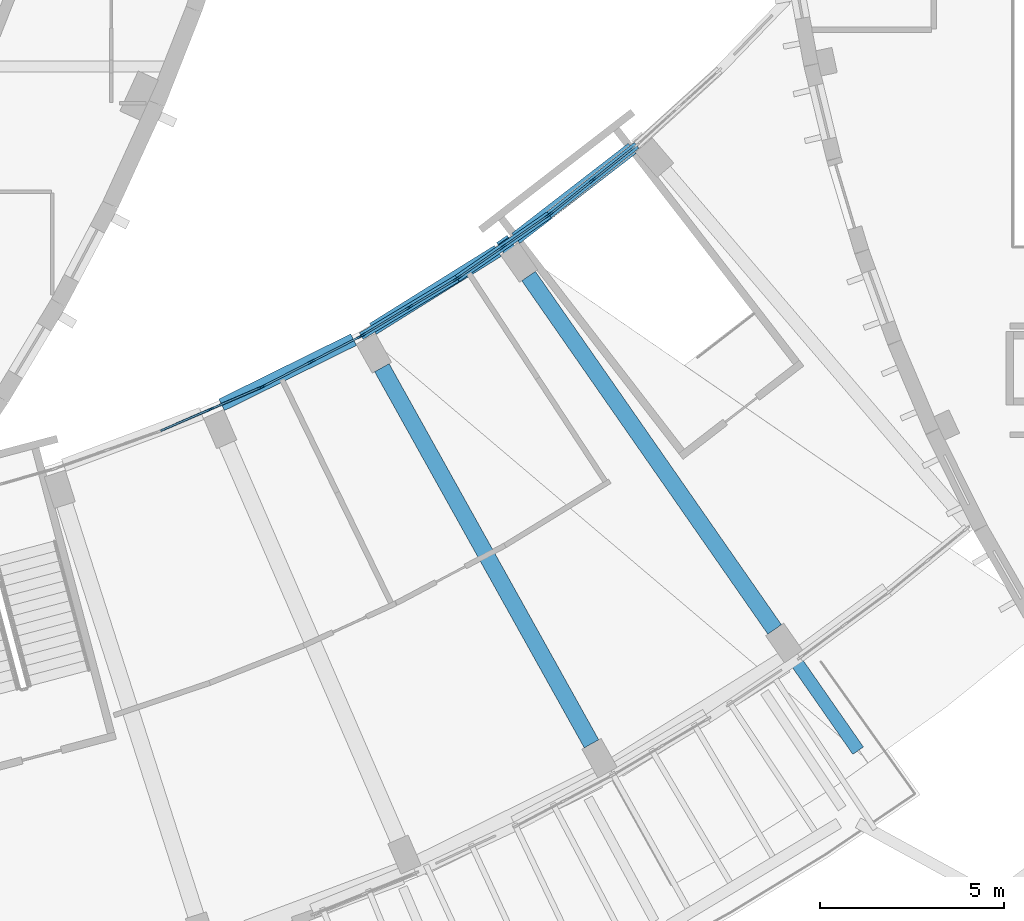
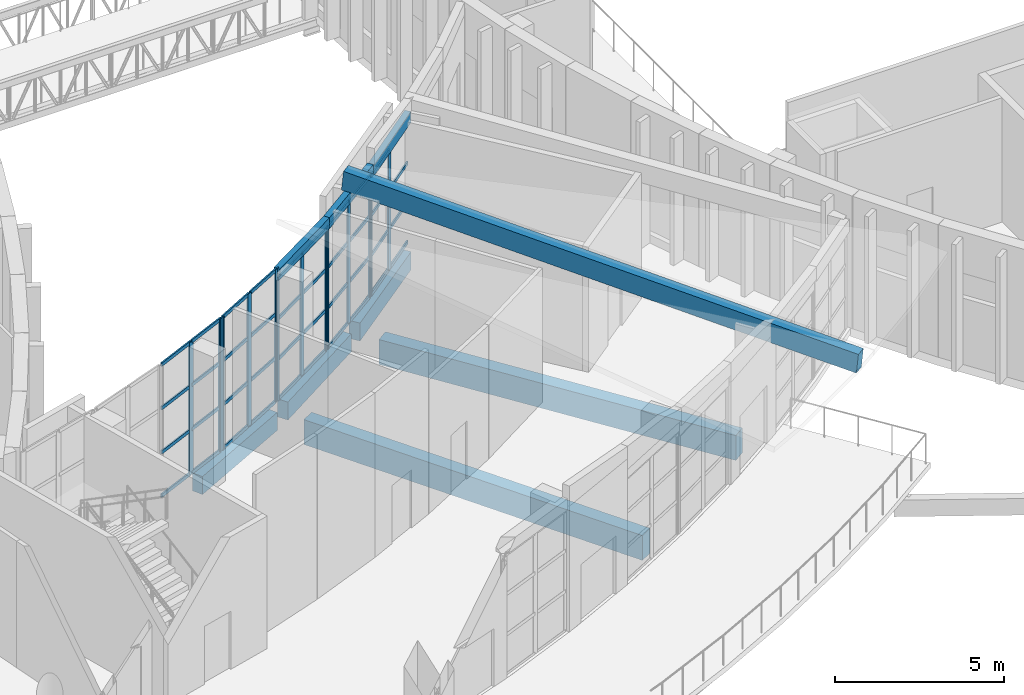
# One storey, part 23 of 93: 52 members, 9 beams, 5 elements without a shape of their own.
"""IFC4 building model written with IfcOpenShell, lengths in metres."""

from ifc_helpers import new_model, si_unit, direction, frame, origin, origin_2d, place, context, subcontext, project, spatial, rectangle, extrude, material, material_profile, profile_set, type_object, element, aggregate, save


model = new_model("IFC4")

# Units and contexts
model_context = context("Model", 3, precision=1e-05, world=origin(), true_north=direction((0.0, 1.0)))
body_context = subcontext(model_context, "Body", "Model", "MODEL_VIEW")
ifc_project = project(units=[si_unit("LENGTHUNIT", "METRE"), si_unit("AREAUNIT", "SQUARE_METRE"), si_unit("VOLUMEUNIT", "CUBIC_METRE"), si_unit("PLANEANGLEUNIT", "RADIAN"), si_unit("MASSUNIT", "GRAM", prefix="KILO")], contexts=[model_context])

# Site, building, storey
site_placement = place(None, origin())
site = spatial("IfcSite", under=ifc_project, at=site_placement, CompositionType="ELEMENT")
building_placement = place(site_placement, origin())
building = spatial("IfcBuilding", under=site, at=building_placement, Name="Tide Square Theatres", CompositionType="ELEMENT")
storey_placement = place(building_placement, frame((0.0, 0.0, 5.39990234375)))
storey = spatial("IfcBuildingStorey", under=building, at=storey_placement, Name="L01", CompositionType="ELEMENT", Elevation=5.39990234375)

# Curtain wall, members
ifc_material_1 = material(Name="Aluminium 6063-T5", Category="aluminium")
curtain_wall_type_1 = type_object("IfcCurtainWallType", Name="Unitised system curtain wall 4600 high", PredefinedType="USERDEFINED", material=ifc_material_1)
curtain_wall_1_placement = place(storey_placement, origin())
curtain_wall_1 = element("IfcCurtainWall", 1, at=curtain_wall_1_placement, inside=storey, type_object=curtain_wall_type_1, Name="Foyer inner curtain wall", ObjectType="UNITISED SYSTEM", PredefinedType="USERDEFINED")
ifc_material_2 = material(Name="Aluminium 6063-T5", Category="aluminium")
ifc_material_profile_1 = material_profile(ifc_material_2, rectangle(XDim=0.050048828125, YDim=0.199951171875, at=origin_2d()))
ifc_profile_set_1 = profile_set([ifc_material_profile_1], Name="Aluminium 6063-T5")
member_type_1 = type_object("IfcMemberType", Name="Aluminium mullion 50 x 200", PredefinedType="MULLION", material=ifc_profile_set_1)
member_1_placement = place(storey_placement, frame((112.690185546875, 31.91552734375, 0.0), z_axis=(0.0, 0.0, 1.0), x_axis=(0.622339810024, -0.782747188343, 0.0)))
member_1 = element("IfcMember", 2, at=member_1_placement, type_object=member_type_1, Name="CW-03 mullion 2", PredefinedType="MULLION", context=body_context, shape_type="SweptSolid", body=[
    extrude(rectangle(XDim=0.050048828125, YDim=0.199951171875, at=origin_2d()), origin(), (0.0, 0.0, 1.0), 4.337646484375),
])
member_2_placement = place(storey_placement, frame((111.520751953125, 30.98583984375, 0.0), z_axis=(0.0, 0.0, 1.0), x_axis=(0.622339810024, -0.782747188343, 0.0)))
member_2 = element("IfcMember", 3, at=member_2_placement, type_object=member_type_1, Name="CW-03 mullion 3", PredefinedType="MULLION", context=body_context, shape_type="SweptSolid", body=[
    extrude(rectangle(XDim=0.050048828125, YDim=0.199951171875, at=origin_2d()), origin(), (0.0, 0.0, 1.0), 4.337646484375),
])

curtain_wall_2_placement = place(storey_placement, origin())
curtain_wall_2 = element("IfcCurtainWall", 4, at=curtain_wall_2_placement, inside=storey, type_object=curtain_wall_type_1, Name="Foyer inner curtain wall", ObjectType="UNITISED SYSTEM", PredefinedType="USERDEFINED")
member_3_placement = place(storey_placement, frame((111.480712890625, 30.9560546875, 0.0), z_axis=(0.0, 0.0, 1.0), x_axis=(0.569470129047, -0.822012026751, 0.0)))
member_3 = element("IfcMember", 5, at=member_3_placement, type_object=member_type_1, Name="CW-03 mullion 1", PredefinedType="MULLION", context=body_context, shape_type="SweptSolid", body=[
    extrude(rectangle(XDim=0.050048828125, YDim=0.199951171875, at=origin_2d()), origin(), (0.0, 0.0, 1.0), 4.400146484375),
])
member_4_placement = place(storey_placement, frame((110.252685546875, 30.105224609375, 0.0), z_axis=(0.0, 0.0, 1.0), x_axis=(0.569470129047, -0.822012026751, 0.0)))
member_4 = element("IfcMember", 6, at=member_4_placement, type_object=member_type_1, Name="CW-03 mullion 2", PredefinedType="MULLION", context=body_context, shape_type="SweptSolid", body=[
    extrude(rectangle(XDim=0.050048828125, YDim=0.199951171875, at=origin_2d()), origin(), (0.0, 0.0, 1.0), 4.400146484375),
])
member_5_placement = place(storey_placement, frame((109.024658203125, 29.254638671875, 0.0), z_axis=(0.0, 0.0, 1.0), x_axis=(0.569470129047, -0.822012026751, 0.0)))
member_5 = element("IfcMember", 7, at=member_5_placement, type_object=member_type_1, Name="CW-03 mullion 3", PredefinedType="MULLION", context=body_context, shape_type="SweptSolid", body=[
    extrude(rectangle(XDim=0.050048828125, YDim=0.199951171875, at=origin_2d()), origin(), (0.0, 0.0, 1.0), 4.400146484375),
])

curtain_wall_3_placement = place(storey_placement, origin())
curtain_wall_3 = element("IfcCurtainWall", 8, at=curtain_wall_3_placement, inside=storey, type_object=curtain_wall_type_1, Name="Foyer inner curtain wall", ObjectType="UNITISED SYSTEM", PredefinedType="USERDEFINED")
member_6_placement = place(storey_placement, frame((108.982666015625, 29.2275390625, 0.0), z_axis=(0.0, 0.0, 1.0), x_axis=(0.514127814204, -0.857713583116, 0.0)))
member_6 = element("IfcMember", 9, at=member_6_placement, type_object=member_type_1, Name="CW-03 mullion 1", PredefinedType="MULLION", context=body_context, shape_type="SweptSolid", body=[
    extrude(rectangle(XDim=0.050048828125, YDim=0.199951171875, at=origin_2d()), origin(), (0.0, 0.0, 1.0), 4.400146484375),
])
member_7_placement = place(storey_placement, frame((107.701171875, 28.459228515625, 0.0), z_axis=(0.0, 0.0, 1.0), x_axis=(0.514127814204, -0.857713583116, 0.0)))
member_7 = element("IfcMember", 10, at=member_7_placement, type_object=member_type_1, Name="CW-03 mullion 2", PredefinedType="MULLION", context=body_context, shape_type="SweptSolid", body=[
    extrude(rectangle(XDim=0.050048828125, YDim=0.199951171875, at=origin_2d()), origin(), (0.0, 0.0, 1.0), 4.400146484375),
])
member_8_placement = place(storey_placement, frame((106.419921875, 27.691162109375, 0.0), z_axis=(0.0, 0.0, 1.0), x_axis=(0.514127814204, -0.857713583116, 0.0)))
member_8 = element("IfcMember", 11, at=member_8_placement, type_object=member_type_1, Name="CW-03 mullion 3", PredefinedType="MULLION", context=body_context, shape_type="SweptSolid", body=[
    extrude(rectangle(XDim=0.050048828125, YDim=0.199951171875, at=origin_2d()), origin(), (0.0, 0.0, 1.0), 4.400146484375),
])

ifc_material_3 = material(Name="Aluminium 6063-T5", Category="aluminium")
curtain_wall_type_2 = type_object("IfcCurtainWallType", Name="Unitised system curtain wall 4800 high", PredefinedType="USERDEFINED", material=ifc_material_3)
curtain_wall_4_placement = place(storey_placement, origin())
curtain_wall_4 = element("IfcCurtainWall", 12, at=curtain_wall_4_placement, inside=storey, type_object=curtain_wall_type_2, Name="Foyer inner curtain wall", ObjectType="UNITISED SYSTEM", PredefinedType="USERDEFINED")
member_9_placement = place(storey_placement, frame((106.376220703125, 27.6669921875, 0.0), z_axis=(0.0, 0.0, 1.0), x_axis=(0.456563895791, -0.889690625476, 0.0)))
member_9 = element("IfcMember", 13, at=member_9_placement, type_object=member_type_1, Name="CW-02 mullion 1", PredefinedType="MULLION", context=body_context, shape_type="SweptSolid", body=[
    extrude(rectangle(XDim=0.050048828125, YDim=0.199951171875, at=origin_2d()), origin(), (0.0, 0.0, 1.0), 4.800048828125),
])
member_10_placement = place(storey_placement, frame((105.047119140625, 26.98486328125, 0.0), z_axis=(0.0, 0.0, 1.0), x_axis=(0.456563895791, -0.889690625476, 0.0)))
member_10 = element("IfcMember", 14, at=member_10_placement, type_object=member_type_1, Name="CW-02 mullion 2", PredefinedType="MULLION", context=body_context, shape_type="SweptSolid", body=[
    extrude(rectangle(XDim=0.050048828125, YDim=0.199951171875, at=origin_2d()), origin(), (0.0, 0.0, 1.0), 4.800048828125),
])
member_11_placement = place(storey_placement, frame((103.7177734375, 26.302734375, 0.0), z_axis=(0.0, 0.0, 1.0), x_axis=(0.456563895791, -0.889690625476, 0.0)))
member_11 = element("IfcMember", 15, at=member_11_placement, type_object=member_type_1, Name="CW-02 mullion 3", PredefinedType="MULLION", context=body_context, shape_type="SweptSolid", body=[
    extrude(rectangle(XDim=0.050048828125, YDim=0.199951171875, at=origin_2d()), origin(), (0.0, 0.0, 1.0), 4.800048828125),
])

curtain_wall_5_placement = place(storey_placement, origin())
curtain_wall_5 = element("IfcCurtainWall", 16, at=curtain_wall_5_placement, inside=storey, type_object=curtain_wall_type_2, Name="Foyer inner curtain wall", ObjectType="UNITISED SYSTEM", PredefinedType="USERDEFINED")
member_12_placement = place(storey_placement, frame((103.672607421875, 26.281494140625, 0.0), z_axis=(0.0, 0.0, 1.0), x_axis=(0.396980103276, -0.917827215549, 0.0)))
member_12 = element("IfcMember", 17, at=member_12_placement, type_object=member_type_1, Name="CW-02 mullion 1", PredefinedType="MULLION", context=body_context, shape_type="SweptSolid", body=[
    extrude(rectangle(XDim=0.050048828125, YDim=0.199951171875, at=origin_2d()), origin(), (0.0, 0.0, 1.0), 4.800048828125),
])
member_13_placement = place(storey_placement, frame((102.301513671875, 25.6884765625, 0.0), z_axis=(0.0, 0.0, 1.0), x_axis=(0.396980103276, -0.917827215549, 0.0)))
member_13 = element("IfcMember", 18, at=member_13_placement, type_object=member_type_1, Name="CW-02 mullion 2", PredefinedType="MULLION", context=body_context, shape_type="SweptSolid", body=[
    extrude(rectangle(XDim=0.050048828125, YDim=0.199951171875, at=origin_2d()), origin(), (0.0, 0.0, 1.0), 4.800048828125),
])

# Member
ifc_material_4 = material(Name="Aluminium 6063-T5", Category="aluminium")
ifc_material_profile_2 = material_profile(ifc_material_4, rectangle(XDim=0.050048828125, YDim=0.125, at=origin_2d()))
ifc_profile_set_2 = profile_set([ifc_material_profile_2], Name="Aluminium 6063-T5")
member_type_2 = type_object("IfcMemberType", Name="Aluminium transom 50 x 125", PredefinedType="USERDEFINED", material=ifc_profile_set_2)
member_14_placement = place(storey_placement, frame((113.840087890625, 32.829833984375, 0.025146484375), z_axis=(-0.782762014986, -0.622321161375, 0.0), x_axis=(0.622321161375, -0.782762014986, 0.0)))
member_14 = element("IfcMember", 19, at=member_14_placement, type_object=member_type_2, Name="CW-03 transom 1.1", ObjectType="TRANSOM", PredefinedType="USERDEFINED", context=body_context, shape_type="SweptSolid", body=[
    extrude(rectangle(XDim=0.050048828125, YDim=0.125, at=origin_2d()), origin(), (0.0, 0.0, 1.0), 1.444091796875),
])

member_15_placement = place(storey_placement, frame((113.840087890625, 32.829833984375, 1.44580078125), z_axis=(-0.782762014986, -0.622321161375, 0.0), x_axis=(0.622321161375, -0.782762014986, 0.0)))
member_15 = element("IfcMember", 20, at=member_15_placement, type_object=member_type_2, Name="CW-03 transom 1.2", ObjectType="TRANSOM", PredefinedType="USERDEFINED", context=body_context, shape_type="SweptSolid", body=[
    extrude(rectangle(XDim=0.050048828125, YDim=0.125, at=origin_2d()), origin(), (0.0, 0.0, 1.0), 1.444091796875),
])

member_16_placement = place(storey_placement, frame((113.840087890625, 32.829833984375, 2.8916015625), z_axis=(-0.782762014986, -0.622321161375, 0.0), x_axis=(0.622321161375, -0.782762014986, 0.0)))
member_16 = element("IfcMember", 21, at=member_16_placement, type_object=member_type_2, Name="CW-03 transom 1.3", ObjectType="TRANSOM", PredefinedType="USERDEFINED", context=body_context, shape_type="SweptSolid", body=[
    extrude(rectangle(XDim=0.050048828125, YDim=0.125, at=origin_2d()), origin(), (0.0, 0.0, 1.0), 1.444091796875),
])

member_17_placement = place(storey_placement, frame((112.670654296875, 31.900146484375, 0.025146484375), z_axis=(-0.782696526628, -0.622403524415, 0.0), x_axis=(0.622403524415, -0.782696526628, 0.0)))
member_17 = element("IfcMember", 22, at=member_17_placement, type_object=member_type_2, Name="CW-03 transom 2.1", ObjectType="TRANSOM", PredefinedType="USERDEFINED", context=body_context, shape_type="SweptSolid", body=[
    extrude(rectangle(XDim=0.050048828125, YDim=0.125, at=origin_2d()), origin(), (0.0, 0.0, 1.0), 1.44384765625),
])

member_18_placement = place(storey_placement, frame((112.670654296875, 31.900146484375, 1.44580078125), z_axis=(-0.782696526628, -0.622403524415, 0.0), x_axis=(0.622403524415, -0.782696526628, 0.0)))
member_18 = element("IfcMember", 23, at=member_18_placement, type_object=member_type_2, Name="CW-03 transom 2.2", ObjectType="TRANSOM", PredefinedType="USERDEFINED", context=body_context, shape_type="SweptSolid", body=[
    extrude(rectangle(XDim=0.050048828125, YDim=0.125, at=origin_2d()), origin(), (0.0, 0.0, 1.0), 1.44384765625),
])

member_19_placement = place(storey_placement, frame((112.670654296875, 31.900146484375, 2.8916015625), z_axis=(-0.782696526628, -0.622403524415, 0.0), x_axis=(0.622403524415, -0.782696526628, 0.0)))
member_19 = element("IfcMember", 24, at=member_19_placement, type_object=member_type_2, Name="CW-03 transom 2.3", ObjectType="TRANSOM", PredefinedType="USERDEFINED", context=body_context, shape_type="SweptSolid", body=[
    extrude(rectangle(XDim=0.050048828125, YDim=0.125, at=origin_2d()), origin(), (0.0, 0.0, 1.0), 1.44384765625),
])

member_20_placement = place(storey_placement, frame((112.670654296875, 31.900146484375, 4.3125), z_axis=(-0.782696526628, -0.622403524415, 0.0), x_axis=(0.622403524415, -0.782696526628, 0.0)))
member_20 = element("IfcMember", 25, at=member_20_placement, type_object=member_type_2, Name="CW-03 transom 2.4", ObjectType="TRANSOM", PredefinedType="USERDEFINED", context=body_context, shape_type="SweptSolid", body=[
    extrude(rectangle(XDim=0.050048828125, YDim=0.125, at=origin_2d()), origin(), (0.0, 0.0, 1.0), 1.44384765625),
])

aggregate(curtain_wall_1, [member_1, member_2, member_14, member_15, member_16, member_17, member_18, member_19, member_20])

member_21_placement = place(storey_placement, frame((111.460205078125, 30.94189453125, 0.025146484375), z_axis=(-0.822033907351, -0.5694385438, 0.0), x_axis=(0.5694385438, -0.822033907351, 0.0)))
member_21 = element("IfcMember", 26, at=member_21_placement, type_object=member_type_2, Name="CW-03 transom 1.1", ObjectType="TRANSOM", PredefinedType="USERDEFINED", context=body_context, shape_type="SweptSolid", body=[
    extrude(rectangle(XDim=0.050048828125, YDim=0.125, at=origin_2d()), origin(), (0.0, 0.0, 1.0), 1.444091796875),
])

member_22_placement = place(storey_placement, frame((111.460205078125, 30.94189453125, 1.466796875), z_axis=(-0.822033907351, -0.5694385438, 0.0), x_axis=(0.5694385438, -0.822033907351, 0.0)))
member_22 = element("IfcMember", 27, at=member_22_placement, type_object=member_type_2, Name="CW-03 transom 1.2", ObjectType="TRANSOM", PredefinedType="USERDEFINED", context=body_context, shape_type="SweptSolid", body=[
    extrude(rectangle(XDim=0.050048828125, YDim=0.125, at=origin_2d()), origin(), (0.0, 0.0, 1.0), 1.444091796875),
])

member_23_placement = place(storey_placement, frame((111.460205078125, 30.94189453125, 2.933349609375), z_axis=(-0.822033907351, -0.5694385438, 0.0), x_axis=(0.5694385438, -0.822033907351, 0.0)))
member_23 = element("IfcMember", 28, at=member_23_placement, type_object=member_type_2, Name="CW-03 transom 1.3", ObjectType="TRANSOM", PredefinedType="USERDEFINED", context=body_context, shape_type="SweptSolid", body=[
    extrude(rectangle(XDim=0.050048828125, YDim=0.125, at=origin_2d()), origin(), (0.0, 0.0, 1.0), 1.444091796875),
])

member_24_placement = place(storey_placement, frame((111.460205078125, 30.94189453125, 4.375), z_axis=(-0.822033907351, -0.5694385438, 0.0), x_axis=(0.5694385438, -0.822033907351, 0.0)))
member_24 = element("IfcMember", 29, at=member_24_placement, type_object=member_type_2, Name="CW-03 transom 1.4", ObjectType="TRANSOM", PredefinedType="USERDEFINED", context=body_context, shape_type="SweptSolid", body=[
    extrude(rectangle(XDim=0.050048828125, YDim=0.125, at=origin_2d()), origin(), (0.0, 0.0, 1.0), 1.444091796875),
])

member_25_placement = place(storey_placement, frame((110.232177734375, 30.091064453125, 0.025146484375), z_axis=(-0.822033907351, -0.5694385438, 0.0), x_axis=(0.5694385438, -0.822033907351, 0.0)))
member_25 = element("IfcMember", 30, at=member_25_placement, type_object=member_type_2, Name="CW-03 transom 2.1", ObjectType="TRANSOM", PredefinedType="USERDEFINED", context=body_context, shape_type="SweptSolid", body=[
    extrude(rectangle(XDim=0.050048828125, YDim=0.125, at=origin_2d()), origin(), (0.0, 0.0, 1.0), 1.444091796875),
])

member_26_placement = place(storey_placement, frame((110.232177734375, 30.091064453125, 1.466796875), z_axis=(-0.822033907351, -0.5694385438, 0.0), x_axis=(0.5694385438, -0.822033907351, 0.0)))
member_26 = element("IfcMember", 31, at=member_26_placement, type_object=member_type_2, Name="CW-03 transom 2.2", ObjectType="TRANSOM", PredefinedType="USERDEFINED", context=body_context, shape_type="SweptSolid", body=[
    extrude(rectangle(XDim=0.050048828125, YDim=0.125, at=origin_2d()), origin(), (0.0, 0.0, 1.0), 1.444091796875),
])

member_27_placement = place(storey_placement, frame((110.232177734375, 30.091064453125, 2.933349609375), z_axis=(-0.822033907351, -0.5694385438, 0.0), x_axis=(0.5694385438, -0.822033907351, 0.0)))
member_27 = element("IfcMember", 32, at=member_27_placement, type_object=member_type_2, Name="CW-03 transom 2.3", ObjectType="TRANSOM", PredefinedType="USERDEFINED", context=body_context, shape_type="SweptSolid", body=[
    extrude(rectangle(XDim=0.050048828125, YDim=0.125, at=origin_2d()), origin(), (0.0, 0.0, 1.0), 1.444091796875),
])

member_28_placement = place(storey_placement, frame((110.232177734375, 30.091064453125, 4.375), z_axis=(-0.822033907351, -0.5694385438, 0.0), x_axis=(0.5694385438, -0.822033907351, 0.0)))
member_28 = element("IfcMember", 33, at=member_28_placement, type_object=member_type_2, Name="CW-03 transom 2.4", ObjectType="TRANSOM", PredefinedType="USERDEFINED", context=body_context, shape_type="SweptSolid", body=[
    extrude(rectangle(XDim=0.050048828125, YDim=0.125, at=origin_2d()), origin(), (0.0, 0.0, 1.0), 1.444091796875),
])

aggregate(curtain_wall_2, [member_3, member_4, member_5, member_21, member_22, member_23, member_24, member_25, member_26, member_27, member_28])

member_29_placement = place(storey_placement, frame((108.961181640625, 29.214599609375, 0.025146484375), z_axis=(-0.857701708575, -0.514147623847, 0.0), x_axis=(0.514147623847, -0.857701708575, 0.0)))
member_29 = element("IfcMember", 34, at=member_29_placement, type_object=member_type_2, Name="CW-03 transom 1.1", ObjectType="TRANSOM", PredefinedType="USERDEFINED", context=body_context, shape_type="SweptSolid", body=[
    extrude(rectangle(XDim=0.050048828125, YDim=0.125, at=origin_2d()), origin(), (0.0, 0.0, 1.0), 1.444091796875),
])

member_30_placement = place(storey_placement, frame((108.961181640625, 29.214599609375, 1.466796875), z_axis=(-0.857701708575, -0.514147623847, 0.0), x_axis=(0.514147623847, -0.857701708575, 0.0)))
member_30 = element("IfcMember", 35, at=member_30_placement, type_object=member_type_2, Name="CW-03 transom 1.2", ObjectType="TRANSOM", PredefinedType="USERDEFINED", context=body_context, shape_type="SweptSolid", body=[
    extrude(rectangle(XDim=0.050048828125, YDim=0.125, at=origin_2d()), origin(), (0.0, 0.0, 1.0), 1.444091796875),
])

member_31_placement = place(storey_placement, frame((108.961181640625, 29.214599609375, 2.933349609375), z_axis=(-0.857701708575, -0.514147623847, 0.0), x_axis=(0.514147623847, -0.857701708575, 0.0)))
member_31 = element("IfcMember", 36, at=member_31_placement, type_object=member_type_2, Name="CW-03 transom 1.3", ObjectType="TRANSOM", PredefinedType="USERDEFINED", context=body_context, shape_type="SweptSolid", body=[
    extrude(rectangle(XDim=0.050048828125, YDim=0.125, at=origin_2d()), origin(), (0.0, 0.0, 1.0), 1.444091796875),
])

member_32_placement = place(storey_placement, frame((108.961181640625, 29.214599609375, 4.375), z_axis=(-0.857701708575, -0.514147623847, 0.0), x_axis=(0.514147623847, -0.857701708575, 0.0)))
member_32 = element("IfcMember", 37, at=member_32_placement, type_object=member_type_2, Name="CW-03 transom 1.4", ObjectType="TRANSOM", PredefinedType="USERDEFINED", context=body_context, shape_type="SweptSolid", body=[
    extrude(rectangle(XDim=0.050048828125, YDim=0.125, at=origin_2d()), origin(), (0.0, 0.0, 1.0), 1.444091796875),
])

member_33_placement = place(storey_placement, frame((107.6796875, 28.446533203125, 0.025146484375), z_axis=(-0.857657005072, -0.514222190935, 0.0), x_axis=(0.514222190935, -0.857657005072, 0.0)))
member_33 = element("IfcMember", 38, at=member_33_placement, type_object=member_type_2, Name="CW-03 transom 2.1", ObjectType="TRANSOM", PredefinedType="USERDEFINED", context=body_context, shape_type="SweptSolid", body=[
    extrude(rectangle(XDim=0.050048828125, YDim=0.125, at=origin_2d()), origin(), (0.0, 0.0, 1.0), 1.44384765625),
])

member_34_placement = place(storey_placement, frame((107.6796875, 28.446533203125, 1.466796875), z_axis=(-0.857657005072, -0.514222190935, 0.0), x_axis=(0.514222190935, -0.857657005072, 0.0)))
member_34 = element("IfcMember", 39, at=member_34_placement, type_object=member_type_2, Name="CW-03 transom 2.2", ObjectType="TRANSOM", PredefinedType="USERDEFINED", context=body_context, shape_type="SweptSolid", body=[
    extrude(rectangle(XDim=0.050048828125, YDim=0.125, at=origin_2d()), origin(), (0.0, 0.0, 1.0), 1.44384765625),
])

member_35_placement = place(storey_placement, frame((107.6796875, 28.446533203125, 2.933349609375), z_axis=(-0.857657005072, -0.514222190935, 0.0), x_axis=(0.514222190935, -0.857657005072, 0.0)))
member_35 = element("IfcMember", 40, at=member_35_placement, type_object=member_type_2, Name="CW-03 transom 2.3", ObjectType="TRANSOM", PredefinedType="USERDEFINED", context=body_context, shape_type="SweptSolid", body=[
    extrude(rectangle(XDim=0.050048828125, YDim=0.125, at=origin_2d()), origin(), (0.0, 0.0, 1.0), 1.44384765625),
])

member_36_placement = place(storey_placement, frame((107.6796875, 28.446533203125, 4.375), z_axis=(-0.857657005072, -0.514222190935, 0.0), x_axis=(0.514222190935, -0.857657005072, 0.0)))
member_36 = element("IfcMember", 41, at=member_36_placement, type_object=member_type_2, Name="CW-03 transom 2.4", ObjectType="TRANSOM", PredefinedType="USERDEFINED", context=body_context, shape_type="SweptSolid", body=[
    extrude(rectangle(XDim=0.050048828125, YDim=0.125, at=origin_2d()), origin(), (0.0, 0.0, 1.0), 1.44384765625),
])

aggregate(curtain_wall_3, [member_6, member_7, member_8, member_29, member_30, member_31, member_32, member_33, member_34, member_35, member_36])

member_37_placement = place(storey_placement, frame((106.35400390625, 27.655517578125, 0.025146484375), z_axis=(-0.88971181746, -0.456522597329, 0.0), x_axis=(0.456522597329, -0.88971181746, 0.0)))
member_37 = element("IfcMember", 42, at=member_37_placement, type_object=member_type_2, Name="CW-02 transom 1.1", ObjectType="TRANSOM", PredefinedType="USERDEFINED", context=body_context, shape_type="SweptSolid", body=[
    extrude(rectangle(XDim=0.050048828125, YDim=0.125, at=origin_2d()), origin(), (0.0, 0.0, 1.0), 1.44384765625),
])

member_38_placement = place(storey_placement, frame((106.35400390625, 27.655517578125, 1.60009765625), z_axis=(-0.88971181746, -0.456522597329, 0.0), x_axis=(0.456522597329, -0.88971181746, 0.0)))
member_38 = element("IfcMember", 43, at=member_38_placement, type_object=member_type_2, Name="CW-02 transom 1.2", ObjectType="TRANSOM", PredefinedType="USERDEFINED", context=body_context, shape_type="SweptSolid", body=[
    extrude(rectangle(XDim=0.050048828125, YDim=0.125, at=origin_2d()), origin(), (0.0, 0.0, 1.0), 1.44384765625),
])

member_39_placement = place(storey_placement, frame((106.35400390625, 27.655517578125, 3.2001953125), z_axis=(-0.88971181746, -0.456522597329, 0.0), x_axis=(0.456522597329, -0.88971181746, 0.0)))
member_39 = element("IfcMember", 44, at=member_39_placement, type_object=member_type_2, Name="CW-02 transom 1.3", ObjectType="TRANSOM", PredefinedType="USERDEFINED", context=body_context, shape_type="SweptSolid", body=[
    extrude(rectangle(XDim=0.050048828125, YDim=0.125, at=origin_2d()), origin(), (0.0, 0.0, 1.0), 1.44384765625),
])

member_40_placement = place(storey_placement, frame((106.35400390625, 27.655517578125, 4.775146484375), z_axis=(-0.88971181746, -0.456522597329, 0.0), x_axis=(0.456522597329, -0.88971181746, 0.0)))
member_40 = element("IfcMember", 45, at=member_40_placement, type_object=member_type_2, Name="CW-02 transom 1.4", ObjectType="TRANSOM", PredefinedType="USERDEFINED", context=body_context, shape_type="SweptSolid", body=[
    extrude(rectangle(XDim=0.050048828125, YDim=0.125, at=origin_2d()), origin(), (0.0, 0.0, 1.0), 1.44384765625),
])

member_41_placement = place(storey_placement, frame((105.024658203125, 26.973388671875, 0.025146484375), z_axis=(-0.88971181746, -0.456522597329, 0.0), x_axis=(0.456522597329, -0.88971181746, 0.0)))
member_41 = element("IfcMember", 46, at=member_41_placement, type_object=member_type_2, Name="CW-02 transom 2.1", ObjectType="TRANSOM", PredefinedType="USERDEFINED", context=body_context, shape_type="SweptSolid", body=[
    extrude(rectangle(XDim=0.050048828125, YDim=0.125, at=origin_2d()), origin(), (0.0, 0.0, 1.0), 1.44384765625),
])

member_42_placement = place(storey_placement, frame((105.024658203125, 26.973388671875, 1.60009765625), z_axis=(-0.88971181746, -0.456522597329, 0.0), x_axis=(0.456522597329, -0.88971181746, 0.0)))
member_42 = element("IfcMember", 47, at=member_42_placement, type_object=member_type_2, Name="CW-02 transom 2.2", ObjectType="TRANSOM", PredefinedType="USERDEFINED", context=body_context, shape_type="SweptSolid", body=[
    extrude(rectangle(XDim=0.050048828125, YDim=0.125, at=origin_2d()), origin(), (0.0, 0.0, 1.0), 1.44384765625),
])

member_43_placement = place(storey_placement, frame((105.024658203125, 26.973388671875, 3.2001953125), z_axis=(-0.88971181746, -0.456522597329, 0.0), x_axis=(0.456522597329, -0.88971181746, 0.0)))
member_43 = element("IfcMember", 48, at=member_43_placement, type_object=member_type_2, Name="CW-02 transom 2.3", ObjectType="TRANSOM", PredefinedType="USERDEFINED", context=body_context, shape_type="SweptSolid", body=[
    extrude(rectangle(XDim=0.050048828125, YDim=0.125, at=origin_2d()), origin(), (0.0, 0.0, 1.0), 1.44384765625),
])

member_44_placement = place(storey_placement, frame((105.024658203125, 26.973388671875, 4.775146484375), z_axis=(-0.88971181746, -0.456522597329, 0.0), x_axis=(0.456522597329, -0.88971181746, 0.0)))
member_44 = element("IfcMember", 49, at=member_44_placement, type_object=member_type_2, Name="CW-02 transom 2.4", ObjectType="TRANSOM", PredefinedType="USERDEFINED", context=body_context, shape_type="SweptSolid", body=[
    extrude(rectangle(XDim=0.050048828125, YDim=0.125, at=origin_2d()), origin(), (0.0, 0.0, 1.0), 1.44384765625),
])

aggregate(curtain_wall_4, [member_9, member_10, member_11, member_37, member_38, member_39, member_40, member_41, member_42, member_43, member_44])

member_45_placement = place(storey_placement, frame((103.649658203125, 26.271484375, 0.025146484375), z_axis=(-0.917810413331, -0.397018948139, 0.0), x_axis=(0.397018948139, -0.917810413331, 0.0)))
member_45 = element("IfcMember", 50, at=member_45_placement, type_object=member_type_2, Name="CW-02 transom 1.1", ObjectType="TRANSOM", PredefinedType="USERDEFINED", context=body_context, shape_type="SweptSolid", body=[
    extrude(rectangle(XDim=0.050048828125, YDim=0.125, at=origin_2d()), origin(), (0.0, 0.0, 1.0), 1.44384765625),
])

member_46_placement = place(storey_placement, frame((103.649658203125, 26.271484375, 1.60009765625), z_axis=(-0.917810413331, -0.397018948139, 0.0), x_axis=(0.397018948139, -0.917810413331, 0.0)))
member_46 = element("IfcMember", 51, at=member_46_placement, type_object=member_type_2, Name="CW-02 transom 1.2", ObjectType="TRANSOM", PredefinedType="USERDEFINED", context=body_context, shape_type="SweptSolid", body=[
    extrude(rectangle(XDim=0.050048828125, YDim=0.125, at=origin_2d()), origin(), (0.0, 0.0, 1.0), 1.44384765625),
])

member_47_placement = place(storey_placement, frame((103.649658203125, 26.271484375, 3.2001953125), z_axis=(-0.917810413331, -0.397018948139, 0.0), x_axis=(0.397018948139, -0.917810413331, 0.0)))
member_47 = element("IfcMember", 52, at=member_47_placement, type_object=member_type_2, Name="CW-02 transom 1.3", ObjectType="TRANSOM", PredefinedType="USERDEFINED", context=body_context, shape_type="SweptSolid", body=[
    extrude(rectangle(XDim=0.050048828125, YDim=0.125, at=origin_2d()), origin(), (0.0, 0.0, 1.0), 1.44384765625),
])

member_48_placement = place(storey_placement, frame((103.649658203125, 26.271484375, 4.775146484375), z_axis=(-0.917810413331, -0.397018948139, 0.0), x_axis=(0.397018948139, -0.917810413331, 0.0)))
member_48 = element("IfcMember", 53, at=member_48_placement, type_object=member_type_2, Name="CW-02 transom 1.4", ObjectType="TRANSOM", PredefinedType="USERDEFINED", context=body_context, shape_type="SweptSolid", body=[
    extrude(rectangle(XDim=0.050048828125, YDim=0.125, at=origin_2d()), origin(), (0.0, 0.0, 1.0), 1.44384765625),
])

member_49_placement = place(storey_placement, frame((102.278564453125, 25.678466796875, 0.025146484375), z_axis=(-0.917837059484, -0.396957343096, 0.0), x_axis=(0.396957343096, -0.917837059484, 0.0)))
member_49 = element("IfcMember", 54, at=member_49_placement, type_object=member_type_2, Name="CW-02 transom 2.1", ObjectType="TRANSOM", PredefinedType="USERDEFINED", context=body_context, shape_type="SweptSolid", body=[
    extrude(rectangle(XDim=0.050048828125, YDim=0.125, at=origin_2d()), origin(), (0.0, 0.0, 1.0), 1.444091796875),
])

member_50_placement = place(storey_placement, frame((102.278564453125, 25.678466796875, 1.60009765625), z_axis=(-0.917837059484, -0.396957343096, 0.0), x_axis=(0.396957343096, -0.917837059484, 0.0)))
member_50 = element("IfcMember", 55, at=member_50_placement, type_object=member_type_2, Name="CW-02 transom 2.2", ObjectType="TRANSOM", PredefinedType="USERDEFINED", context=body_context, shape_type="SweptSolid", body=[
    extrude(rectangle(XDim=0.050048828125, YDim=0.125, at=origin_2d()), origin(), (0.0, 0.0, 1.0), 1.444091796875),
])

member_51_placement = place(storey_placement, frame((102.278564453125, 25.678466796875, 3.2001953125), z_axis=(-0.917837059484, -0.396957343096, 0.0), x_axis=(0.396957343096, -0.917837059484, 0.0)))
member_51 = element("IfcMember", 56, at=member_51_placement, type_object=member_type_2, Name="CW-02 transom 2.3", ObjectType="TRANSOM", PredefinedType="USERDEFINED", context=body_context, shape_type="SweptSolid", body=[
    extrude(rectangle(XDim=0.050048828125, YDim=0.125, at=origin_2d()), origin(), (0.0, 0.0, 1.0), 1.444091796875),
])

member_52_placement = place(storey_placement, frame((102.278564453125, 25.678466796875, 4.775146484375), z_axis=(-0.917837059484, -0.396957343096, 0.0), x_axis=(0.396957343096, -0.917837059484, 0.0)))
member_52 = element("IfcMember", 57, at=member_52_placement, type_object=member_type_2, Name="CW-02 transom 2.4", ObjectType="TRANSOM", PredefinedType="USERDEFINED", context=body_context, shape_type="SweptSolid", body=[
    extrude(rectangle(XDim=0.050048828125, YDim=0.125, at=origin_2d()), origin(), (0.0, 0.0, 1.0), 1.444091796875),
])

aggregate(curtain_wall_5, [member_12, member_13, member_45, member_46, member_47, member_48, member_49, member_50, member_51, member_52])

# Beams
ifc_material_5 = material(Name="Concrete C35", Category="concrete")
ifc_material_profile_3 = material_profile(ifc_material_5, rectangle(XDim=0.199951171875, YDim=0.39990234375, at=origin_2d()))
ifc_profile_set_3 = profile_set([ifc_material_profile_3], Name="Concrete C35")
beam_type_1 = type_object("IfcBeamType", Name="RC beam 200 x 400", PredefinedType="BEAM", material=ifc_profile_set_3)
for number, where, z_axis, x_axis, name in (
    (58, (113.879150390625, 32.86083984375, 4.53759765625), (-0.782746964437, -0.622340091642, 0.0), (0.622340091642, -0.782746964437, 0.0), "Foyer fascia head beam"),
    (59, (111.501220703125, 30.97021484375, 4.60009765625), (-0.822001191641, -0.569485768866, 0.0), (0.569485768866, -0.822001191641, 0.0), "Foyer fascia head beam"),
    (60, (109.004150390625, 29.240234375, 4.60009765625), (-0.857733926081, -0.514093874744, 0.0), (0.514093874744, -0.857733926081, 0.0), "Foyer fascia head beam"),
):
    element("IfcBeam", number, at=place(storey_placement, frame(where, z_axis=z_axis, x_axis=x_axis)), inside=storey, type_object=beam_type_1, Name=name, PredefinedType="BEAM", context=body_context, shape_type="SweptSolid", body=[
        extrude(rectangle(XDim=0.199951171875, YDim=0.39990234375, at=origin_2d()), origin(), (0.0, 0.0, 1.0), 3.037841796875),
    ])
ifc_material_6 = material(Name="Concrete C35", Category="concrete")
ifc_material_profile_4 = material_profile(ifc_material_6, rectangle(XDim=0.449951171875, YDim=0.89990234375, at=origin_2d()))
ifc_profile_set_4 = profile_set([ifc_material_profile_4], Name="Concrete C35")
beam_type_2 = type_object("IfcBeamType", Name="RC beam 450 x 900", PredefinedType="BEAM", material=ifc_profile_set_4)
for number, where, z_axis, x_axis, name in (
    (61, (112.6533203125, 16.5966796875, -0.669921875), (-0.486886182557, 0.873465423034, 0.0), (-0.873465423034, -0.486886182557, 0.0), "Foyer floor girder"),
    (62, (117.62890625, 19.704833984375, -0.669921875), (-0.571435538746, 0.820646955187, 0.0), (-0.820646955187, -0.571435538746, 0.0), "Foyer floor girder"),
):
    element("IfcBeam", number, at=place(storey_placement, frame(where, z_axis=z_axis, x_axis=x_axis)), inside=storey, type_object=beam_type_2, Name=name, PredefinedType="BEAM", context=body_context, shape_type="SweptSolid", body=[
        extrude(rectangle(XDim=0.449951171875, YDim=0.89990234375, at=origin_2d()), origin(), (0.0, 0.0, 1.0), 11.699951171875),
    ])
ifc_material_7 = material(Name="Concrete C40", Category="concrete")
ifc_material_profile_5 = material_profile(ifc_material_7, rectangle(XDim=0.35009765625, YDim=0.699951171875, at=origin_2d()))
ifc_profile_set_5 = profile_set([ifc_material_profile_5], Name="Concrete C40")
beam_type_3 = type_object("IfcBeamType", Name="RC foyer roof rib 350 x 700", PredefinedType="BEAM", material=ifc_profile_set_5)
beam_1_placement = place(storey_placement, frame((110.236083984375, 30.286376953125, 5.152099609375), z_axis=(0.568860385752, -0.816939279482, -0.094910880098), x_axis=(0.820643851871, 0.571439995438, 0.0)))
element("IfcBeam", 63, at=beam_1_placement, inside=storey, type_object=beam_type_3, Name="Foyer roof rib 13", PredefinedType="BEAM", context=body_context, shape_type="SweptSolid", body=[
    extrude(rectangle(XDim=0.35009765625, YDim=0.699951171875, at=origin_2d()), origin(), (0.0, 0.0, 1.0), 16.95166015625),
])
ifc_material_8 = material(Name="Concrete C35", Category="concrete")
ifc_material_profile_6 = material_profile(ifc_material_8, rectangle(XDim=0.35009765625, YDim=0.64990234375, at=origin_2d()))
ifc_profile_set_6 = profile_set([ifc_material_profile_6], Name="Concrete C35")
beam_type_4 = type_object("IfcBeamType", Name="RC spandrel beam 350 x 650", PredefinedType="SPANDREL", material=ifc_profile_set_6)
beam_2_placement = place(storey_placement, frame((102.60400390625, 25.80859375, -0.544921875), z_axis=(0.896651083613, 0.442737884369, 0.0), x_axis=(-0.442737884369, 0.896651083613, 0.0)))
element("IfcBeam", 64, at=beam_2_placement, inside=storey, type_object=beam_type_4, Name="Foyer inner spandrel beam", PredefinedType="SPANDREL", context=body_context, shape_type="SweptSolid", body=[
    extrude(rectangle(XDim=0.35009765625, YDim=0.64990234375, at=origin_2d()), origin(), (0.0, 0.0, 1.0), 3.997802734375),
])
beam_3_placement = place(storey_placement, frame((106.712158203125, 27.870361328125, -0.544921875), z_axis=(0.848097772998, 0.529839756376, 0.0), x_axis=(-0.529839756376, 0.848097772998, 0.0)))
element("IfcBeam", 65, at=beam_3_placement, inside=storey, type_object=beam_type_4, Name="Foyer inner spandrel beam", PredefinedType="SPANDREL", context=body_context, shape_type="SweptSolid", body=[
    extrude(rectangle(XDim=0.35009765625, YDim=0.64990234375, at=origin_2d()), origin(), (0.0, 0.0, 1.0), 3.998291015625),
])
beam_4_placement = place(storey_placement, frame((110.5947265625, 30.3310546875, -0.544921875), z_axis=(0.79115068797, 0.611621278999, 0.0), x_axis=(-0.611621278999, 0.79115068797, 0.0)))
element("IfcBeam", 66, at=beam_4_placement, inside=storey, type_object=beam_type_4, Name="Foyer inner spandrel beam", PredefinedType="SPANDREL", context=body_context, shape_type="SweptSolid", body=[
    extrude(rectangle(XDim=0.35009765625, YDim=0.64990234375, at=origin_2d()), origin(), (0.0, 0.0, 1.0), 3.998046875),
])

save(model, "model.ifc")
